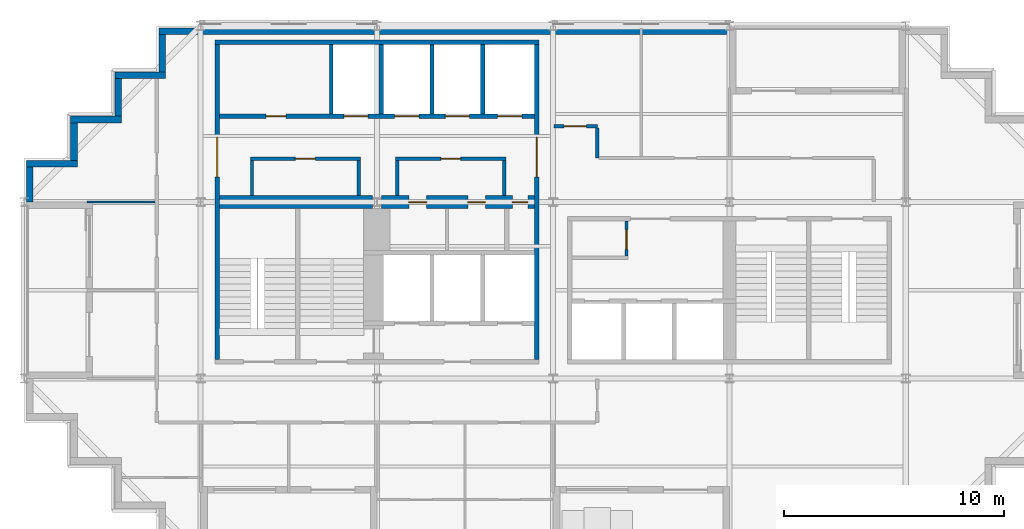
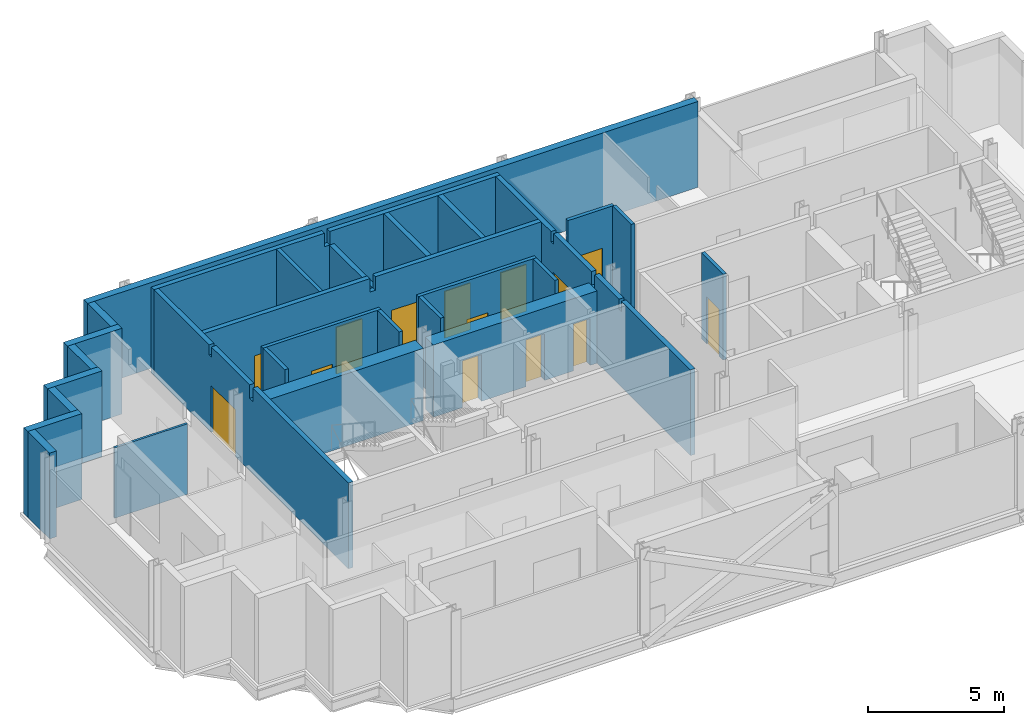
# One storey, part 4 of 8: 28 walls, 14 doors, 14 openings.
"""IFC4 building model written with IfcOpenShell, lengths in metres."""

from ifc_helpers import new_model, si_unit, direction, frame, frame_2d, origin, place, context, subcontext, project, spatial, polyline, rectangle, outline, extrude, material, layer, layer_set, type_object, element, fill, save


model = new_model("IFC4")

# Units and contexts
model_context = context("Model", 3, precision=1e-05, world=origin(), true_north=direction((0.0, 1.0)))
body_context = subcontext(model_context, "Body", "Model", "MODEL_VIEW")
ifc_project = project(units=[si_unit("LENGTHUNIT", "METRE"), si_unit("AREAUNIT", "SQUARE_METRE"), si_unit("VOLUMEUNIT", "CUBIC_METRE"), si_unit("PLANEANGLEUNIT", "RADIAN"), si_unit("MASSUNIT", "GRAM", prefix="KILO")], contexts=[model_context])

# Site, building, storey
site_placement = place(None, origin())
site = spatial("IfcSite", under=ifc_project, at=site_placement, CompositionType="ELEMENT")
building_placement = place(site_placement, origin())
building = spatial("IfcBuilding", under=site, at=building_placement, Name="Immortelle Media Tower", CompositionType="ELEMENT")
storey_placement = place(building_placement, frame((0.0, 0.0, 193.0)))
storey = spatial("IfcBuildingStorey", under=building, at=storey_placement, Name="L40", CompositionType="ELEMENT", Elevation=193.0)

# Wall, openings, doors
ifc_material_1 = material(Name="Fire-rated masonry blockwork", Category="masonry")
ifc_layer_1 = layer(ifc_material_1, 0.60009765625)
ifc_layer_set_1 = layer_set([ifc_layer_1], Name="Fire-rated masonry blockwork")
wall_type_1 = type_object("IfcWallType", Name="Core grid-line wall 600", PredefinedType="PARTITIONING", material=ifc_layer_set_1)
wall_1_placement = place(storey_placement, frame((16.20703125, 16.0, 0.0), z_axis=(0.0, 0.0, 1.0), x_axis=(1.0, 0.0, 0.0)))
wall_1 = element("IfcWall", 1, at=wall_1_placement, inside=storey, type_object=wall_type_1, Name="Core grid-line wall SW", PredefinedType="PARTITIONING", context=body_context, shape_type="SweptSolid", body=[
    extrude(rectangle(XDim=6.94287109375, YDim=0.60009765625, at=frame_2d((3.471435546875, 0.0))), origin(), (0.0, 0.0, 1.0), 3.241943359375),
])
opening_1_placement = place(wall_1_placement, frame((2.04296875, 0.0, 0.0), z_axis=(0.0, 0.0, 1.0), x_axis=(-1.0, 0.0, 0.0)))
opening_1 = element("IfcOpeningElement", 2, at=opening_1_placement, cuts=wall_1, Name="Opening O1-K010", PredefinedType="OPENING", context=body_context, shape_type="SweptSolid", body=[
    extrude(rectangle(XDim=0.800048828125, YDim=2.10009765625, at=frame_2d((0.39990234375, 1.050048828125))), frame((0.0, 0.31005859375, 0.0), z_axis=(0.0, -1.0, 0.0), x_axis=(1.0, 0.0, 0.0)), (0.0, 0.0, 1.0), 0.6201171875),
])
opening_2_placement = place(wall_1_placement, frame((4.718017578125, 0.0, 0.0), z_axis=(0.0, 0.0, 1.0), x_axis=(-1.0, 0.0, 0.0)))
opening_2 = element("IfcOpeningElement", 3, at=opening_2_placement, cuts=wall_1, Name="Opening O1-K015", PredefinedType="OPENING", context=body_context, shape_type="SweptSolid", body=[
    extrude(rectangle(XDim=0.800048828125, YDim=2.10009765625, at=frame_2d((0.39990234375, 1.050048828125))), frame((0.0, 0.31005859375, 0.0), z_axis=(0.0, -1.0, 0.0), x_axis=(1.0, 0.0, 0.0)), (0.0, 0.0, 1.0), 0.6201171875),
])
opening_3_placement = place(wall_1_placement, frame((6.64306640625, 0.0, 0.0), z_axis=(0.0, 0.0, 1.0), x_axis=(-1.0, 0.0, 0.0)))
opening_3 = element("IfcOpeningElement", 4, at=opening_3_placement, cuts=wall_1, Name="Opening O1-K018", PredefinedType="OPENING", context=body_context, shape_type="SweptSolid", body=[
    extrude(rectangle(XDim=0.699951171875, YDim=2.10009765625, at=frame_2d((0.35009765625, 1.050048828125))), frame((0.0, 0.31005859375, 0.0), z_axis=(0.0, -1.0, 0.0), x_axis=(1.0, 0.0, 0.0)), (0.0, 0.0, 1.0), 0.6201171875),
])
ifc_material_2 = material(Name="Galvanised steel door leaf and frame ASTM A653", Category="steel")
door_type_1 = type_object("IfcDoorType", Name="Service door 700 x 2100", OperationType="NOTDEFINED", PredefinedType="NOTDEFINED", material=ifc_material_2)
door_1_placement = place(opening_3_placement, origin())
door_1 = element("IfcDoor", 5, at=door_1_placement, inside=storey, type_object=door_type_1, Name="Service O1-K018", OperationType="SINGLE_SWING_LEFT", OverallHeight=2.10009765625, OverallWidth=0.699951171875, PredefinedType="NOTDEFINED", context=body_context, shape_type="SweptSolid", body=[
    extrude(rectangle(XDim=0.699951171875, YDim=2.10009765625, at=frame_2d((0.35009765625, 1.050048828125))), frame((0.0, 0.02490234375, 0.0), z_axis=(0.0, -1.0, 0.0), x_axis=(1.0, 0.0, 0.0)), (0.0, 0.0, 1.0), 0.050048828125),
])
fill(opening_3, door_1)
ifc_material_3 = material(Name="Timber", Category="wood")
door_type_2 = type_object("IfcDoorType", Name="Toilet door 800 x 2100", OperationType="NOTDEFINED", PredefinedType="NOTDEFINED", material=ifc_material_3)
door_2_placement = place(opening_1_placement, origin())
door_2 = element("IfcDoor", 6, at=door_2_placement, inside=storey, type_object=door_type_2, Name="Toilet O1-K010", OperationType="SINGLE_SWING_LEFT", OverallHeight=2.10009765625, OverallWidth=0.800048828125, PredefinedType="NOTDEFINED", context=body_context, shape_type="SweptSolid", body=[
    extrude(rectangle(XDim=0.800048828125, YDim=2.10009765625, at=frame_2d((0.39990234375, 1.050048828125))), frame((0.0, 0.02490234375, 0.0), z_axis=(0.0, -1.0, 0.0), x_axis=(1.0, 0.0, 0.0)), (0.0, 0.0, 1.0), 0.050048828125),
])
fill(opening_1, door_2)
door_3_placement = place(opening_2_placement, origin())
door_3 = element("IfcDoor", 7, at=door_3_placement, inside=storey, type_object=door_type_2, Name="Toilet O1-K015", OperationType="SINGLE_SWING_RIGHT", OverallHeight=2.10009765625, OverallWidth=0.800048828125, PredefinedType="NOTDEFINED", context=body_context, shape_type="SweptSolid", body=[
    extrude(rectangle(XDim=0.800048828125, YDim=2.10009765625, at=frame_2d((0.39990234375, 1.050048828125))), frame((0.0, 0.02490234375, 0.0), z_axis=(0.0, -1.0, 0.0), x_axis=(1.0, 0.0, 0.0)), (0.0, 0.0, 1.0), 0.050048828125),
])
fill(opening_2, door_3)

# Wall
ifc_material_4 = material(Name="Fire-rated gypsum board", Category="gypsum")
ifc_layer_2 = layer(ifc_material_4, 0.02490234375)
ifc_material_5 = material(Name="Steel ASTM A653 SS Gr 50 stud frame with mineral wool", Category="steel")
ifc_layer_3 = layer(ifc_material_5, 0.10009765625)
ifc_layer_4 = layer(ifc_material_4, 0.02490234375)
ifc_layer_set_2 = layer_set([ifc_layer_2, ifc_layer_3, ifc_layer_4], Name="Steel ASTM A653 SS Gr 50 stud frame with mineral wool")
wall_type_2 = type_object("IfcWallType", Name="Core partition 150", PredefinedType="PARTITIONING", material=ifc_layer_set_2)
wall_2_placement = place(storey_placement, frame((10.324951171875, 16.300048828125, 0.0), z_axis=(0.0, 0.0, 1.0), x_axis=(0.0, 1.0, 0.0)))
element("IfcWall", 8, at=wall_2_placement, inside=storey, type_object=wall_type_2, Name="Core partition SW", PredefinedType="PARTITIONING", context=body_context, shape_type="SweptSolid", body=[
    extrude(rectangle(XDim=1.599853515625, YDim=0.14990234375, at=frame_2d((0.7998046875, 0.0))), origin(), (0.0, 0.0, 1.0), 3.85009765625),
])

# Wall, opening, door
wall_3_placement = place(storey_placement, frame((10.25, 17.97509765625, 0.0), z_axis=(0.0, 0.0, 1.0), x_axis=(1.0, 0.0, 0.0)))
wall_3 = element("IfcWall", 9, at=wall_3_placement, inside=storey, type_object=wall_type_2, Name="Core partition SW", PredefinedType="PARTITIONING", context=body_context, shape_type="SweptSolid", body=[
    extrude(rectangle(XDim=5.0, YDim=0.14990234375, at=frame_2d((2.5, 0.0))), origin(), (0.0, 0.0, 1.0), 3.85009765625),
])
opening_4_placement = place(wall_3_placement, frame((2.949951171875, 0.0, 0.0), z_axis=(0.0, 0.0, 1.0), x_axis=(-1.0, 0.0, 0.0)))
opening_4 = element("IfcOpeningElement", 10, at=opening_4_placement, cuts=wall_3, Name="Opening O1-K004", PredefinedType="OPENING", context=body_context, shape_type="SweptSolid", body=[
    extrude(rectangle(XDim=0.89990234375, YDim=2.10009765625, at=frame_2d((0.449951171875, 1.050048828125))), frame((0.0, 0.0849609375, 0.0), z_axis=(0.0, -1.0, 0.0), x_axis=(1.0, 0.0, 0.0)), (0.0, 0.0, 1.0), 0.169921875),
])
door_type_3 = type_object("IfcDoorType", Name="Room door 900 x 2100", OperationType="NOTDEFINED", PredefinedType="NOTDEFINED", material=ifc_material_3)
door_4_placement = place(opening_4_placement, origin())
door_4 = element("IfcDoor", 11, at=door_4_placement, inside=storey, type_object=door_type_3, Name="Room O1-K004", OperationType="SINGLE_SWING_RIGHT", OverallHeight=2.10009765625, OverallWidth=0.89990234375, PredefinedType="NOTDEFINED", context=body_context, shape_type="SweptSolid", body=[
    extrude(rectangle(XDim=0.89990234375, YDim=2.10009765625, at=frame_2d((0.449951171875, 1.050048828125))), frame((0.0, 0.02490234375, 0.0), z_axis=(0.0, -1.0, 0.0), x_axis=(1.0, 0.0, 0.0)), (0.0, 0.0, 1.0), 0.050048828125),
])
fill(opening_4, door_4)

# Walls
wall_4_placement = place(storey_placement, frame((13.925048828125, 20.0, 0.0), z_axis=(0.0, 0.0, 1.0), x_axis=(0.0, 1.0, 0.0)))
element("IfcWall", 12, at=wall_4_placement, inside=storey, type_object=wall_type_2, Name="Core partition SW", PredefinedType="PARTITIONING", context=body_context, shape_type="SweptSolid", body=[
    extrude(rectangle(XDim=3.14990234375, YDim=0.14990234375, at=frame_2d((1.574951171875, 0.0))), origin(), (0.0, 0.0, 1.0), 3.85009765625),
])
for number, where, z_axis, x_axis, name in (
    (13, (15.175048828125, 16.300048828125, 0.0), (0.0, 0.0, 1.0), (0.0, 1.0, 0.0), "Core partition SW"),
    (14, (16.925048828125, 16.300048828125, 0.0), (0.0, 0.0, 1.0), (0.0, 1.0, 0.0), "Core partition SW"),
):
    element("IfcWall", number, at=place(storey_placement, frame(where, z_axis=z_axis, x_axis=x_axis)), inside=storey, type_object=wall_type_2, Name=name, PredefinedType="PARTITIONING", context=body_context, shape_type="SweptSolid", body=[
        extrude(rectangle(XDim=1.599853515625, YDim=0.14990234375, at=frame_2d((0.7998046875, 0.0))), origin(), (0.0, 0.0, 1.0), 3.85009765625),
    ])

# Wall, opening, door
wall_5_placement = place(storey_placement, frame((16.85009765625, 17.97509765625, 0.0), z_axis=(0.0, 0.0, 1.0), x_axis=(1.0, 0.0, 0.0)))
wall_5 = element("IfcWall", 15, at=wall_5_placement, inside=storey, type_object=wall_type_2, Name="Core partition SW", PredefinedType="PARTITIONING", context=body_context, shape_type="SweptSolid", body=[
    extrude(rectangle(XDim=5.0, YDim=0.14990234375, at=frame_2d((2.5, 0.0))), origin(), (0.0, 0.0, 1.0), 3.85009765625),
])
opening_5_placement = place(wall_5_placement, frame((2.949951171875, 0.0, 0.0), z_axis=(0.0, 0.0, 1.0), x_axis=(-1.0, 0.0, 0.0)))
opening_5 = element("IfcOpeningElement", 16, at=opening_5_placement, cuts=wall_5, Name="Opening O1-K011", PredefinedType="OPENING", context=body_context, shape_type="SweptSolid", body=[
    extrude(rectangle(XDim=0.89990234375, YDim=2.10009765625, at=frame_2d((0.449951171875, 1.050048828125))), frame((0.0, 0.0849609375, 0.0), z_axis=(0.0, -1.0, 0.0), x_axis=(1.0, 0.0, 0.0)), (0.0, 0.0, 1.0), 0.169921875),
])
door_5_placement = place(opening_5_placement, origin())
door_5 = element("IfcDoor", 17, at=door_5_placement, inside=storey, type_object=door_type_3, Name="Room O1-K011", OperationType="SINGLE_SWING_RIGHT", OverallHeight=2.10009765625, OverallWidth=0.89990234375, PredefinedType="NOTDEFINED", context=body_context, shape_type="SweptSolid", body=[
    extrude(rectangle(XDim=0.89990234375, YDim=2.10009765625, at=frame_2d((0.449951171875, 1.050048828125))), frame((0.0, 0.02490234375, 0.0), z_axis=(0.0, -1.0, 0.0), x_axis=(1.0, 0.0, 0.0)), (0.0, 0.0, 1.0), 0.050048828125),
])
fill(opening_5, door_5)

# Wall
wall_6_placement = place(storey_placement, frame((21.77490234375, 16.300048828125, 0.0), z_axis=(0.0, 0.0, 1.0), x_axis=(0.0, 1.0, 0.0)))
element("IfcWall", 18, at=wall_6_placement, inside=storey, type_object=wall_type_2, Name="Core partition SW", PredefinedType="PARTITIONING", context=body_context, shape_type="SweptSolid", body=[
    extrude(rectangle(XDim=1.599853515625, YDim=0.14990234375, at=frame_2d((0.7998046875, 0.0))), origin(), (0.0, 0.0, 1.0), 3.85009765625),
])

# Wall, opening, door
wall_7_placement = place(storey_placement, frame((27.324951171875, 13.550048828125, 0.0), z_axis=(0.0, 0.0, 1.0), x_axis=(0.0, 1.0, 0.0)))
wall_7 = element("IfcWall", 19, at=wall_7_placement, inside=storey, type_object=wall_type_2, Name="Core partition SE", PredefinedType="PARTITIONING", context=body_context, shape_type="SweptSolid", body=[
    extrude(rectangle(XDim=1.599853515625, YDim=0.14990234375, at=frame_2d((0.7998046875, 0.0))), origin(), (0.0, 0.0, 1.0), 3.85009765625),
])
opening_6_placement = place(wall_7_placement, frame((0.300048828125, 0.0, 0.0)))
opening_6 = element("IfcOpeningElement", 20, at=opening_6_placement, cuts=wall_7, Name="Opening O1-K021", PredefinedType="OPENING", context=body_context, shape_type="SweptSolid", body=[
    extrude(rectangle(XDim=0.89990234375, YDim=2.10009765625, at=frame_2d((0.449951171875, 1.050048828125))), frame((0.0, 0.0849609375, 0.0), z_axis=(0.0, -1.0, 0.0), x_axis=(1.0, 0.0, 0.0)), (0.0, 0.0, 1.0), 0.169921875),
])
door_type_4 = type_object("IfcDoorType", Name="Service door 900 x 2100", OperationType="NOTDEFINED", PredefinedType="NOTDEFINED", material=ifc_material_2)
door_6_placement = place(opening_6_placement, origin())
door_6 = element("IfcDoor", 21, at=door_6_placement, inside=storey, type_object=door_type_4, Name="Service O1-K021", OperationType="SINGLE_SWING_RIGHT", OverallHeight=2.10009765625, OverallWidth=0.89990234375, PredefinedType="NOTDEFINED", context=body_context, shape_type="SweptSolid", body=[
    extrude(rectangle(XDim=0.89990234375, YDim=2.10009765625, at=frame_2d((0.449951171875, 1.050048828125))), frame((0.0, 0.02490234375, 0.0), z_axis=(0.0, -1.0, 0.0), x_axis=(1.0, 0.0, 0.0)), (0.0, 0.0, 1.0), 0.050048828125),
])
fill(opening_6, door_6)

# Wall
ifc_layer_5 = layer(ifc_material_4, 0.03759765625)
ifc_layer_6 = layer(ifc_material_5, 0.125)
ifc_layer_7 = layer(ifc_material_4, 0.03759765625)
ifc_layer_set_3 = layer_set([ifc_layer_5, ifc_layer_6, ifc_layer_7], Name="Steel ASTM A653 SS Gr 50 stud frame with mineral wool")
wall_type_3 = type_object("IfcWallType", Name="Core shaft wall 200", PredefinedType="PARTITIONING", material=ifc_layer_set_3)
wall_8_placement = place(storey_placement, frame((8.64990234375, 23.25, 0.0), z_axis=(0.0, 0.0, 1.0), x_axis=(1.0, 0.0, 0.0)))
element("IfcWall", 22, at=wall_8_placement, inside=storey, type_object=wall_type_3, Name="Core shaft wall SW", PredefinedType="PARTITIONING", context=body_context, shape_type="SweptSolid", body=[
    extrude(outline(polyline([(0.0, 0.0), (14.7001953125, 0.0), (14.699951171875, 3.85009765625), (7.468994140625, 3.85009765625), (7.468017578125, 3.241943359375), (7.23193359375, 3.241943359375), (7.23095703125, 3.85009765625), (0.0, 3.85009765625), (0.0, 0.0)])), frame((0.0, 0.10009765625, 0.0), z_axis=(0.0, -1.0, 0.0), x_axis=(1.0, 0.0, 0.0)), (0.0, 0.0, 1.0), 0.199951171875),
])

# Wall, openings, doors
wall_9_placement = place(storey_placement, frame((8.85009765625, 19.89990234375, 0.0), z_axis=(0.0, 0.0, 1.0), x_axis=(1.0, 0.0, 0.0)))
wall_9 = element("IfcWall", 23, at=wall_9_placement, inside=storey, type_object=wall_type_3, Name="Core shaft wall SW", PredefinedType="PARTITIONING", context=body_context, shape_type="SweptSolid", body=[
    extrude(outline(polyline([(0.0, 0.0), (14.2998046875, 0.0), (14.300048828125, 3.85009765625), (7.26904296875, 3.85009765625), (7.26806640625, 3.241943359375), (7.031982421875, 3.241943359375), (7.031005859375, 3.85009765625), (0.0, 3.85009765625), (0.0, 0.0)])), frame((0.0, 0.10009765625, 0.0), z_axis=(0.0, -1.0, 0.0), x_axis=(1.0, 0.0, 0.0)), (0.0, 0.0, 1.0), 0.199951171875),
])
opening_7_placement = place(wall_9_placement, frame((2.125, 0.0, 0.0)))
opening_7 = element("IfcOpeningElement", 24, at=opening_7_placement, cuts=wall_9, Name="Opening O1-K003", PredefinedType="OPENING", context=body_context, shape_type="SweptSolid", body=[
    extrude(rectangle(XDim=0.89990234375, YDim=2.10009765625, at=frame_2d((0.449951171875, 1.050048828125))), frame((0.0, 0.10986328125, 0.0), z_axis=(0.0, -1.0, 0.0), x_axis=(1.0, 0.0, 0.0)), (0.0, 0.0, 1.0), 0.219970703125),
])
opening_8_placement = place(wall_9_placement, frame((5.64990234375, 0.0, 0.0)))
opening_8 = element("IfcOpeningElement", 25, at=opening_8_placement, cuts=wall_9, Name="Opening LD", PredefinedType="OPENING", context=body_context, shape_type="SweptSolid", body=[
    extrude(rectangle(XDim=1.10009765625, YDim=2.10009765625, at=frame_2d((0.550048828125, 1.050048828125))), frame((0.0, 0.10986328125, 0.0), z_axis=(0.0, -1.0, 0.0), x_axis=(1.0, 0.0, 0.0)), (0.0, 0.0, 1.0), 0.219970703125),
])
opening_9_placement = place(wall_9_placement, frame((7.949951171875, 0.0, 0.0)))
opening_9 = element("IfcOpeningElement", 26, at=opening_9_placement, cuts=wall_9, Name="Opening LD", PredefinedType="OPENING", context=body_context, shape_type="SweptSolid", body=[
    extrude(rectangle(XDim=1.10009765625, YDim=2.10009765625, at=frame_2d((0.550048828125, 1.050048828125))), frame((0.0, 0.10986328125, 0.0), z_axis=(0.0, -1.0, 0.0), x_axis=(1.0, 0.0, 0.0)), (0.0, 0.0, 1.0), 0.219970703125),
])
opening_10_placement = place(wall_9_placement, frame((10.25, 0.0, 0.0)))
opening_10 = element("IfcOpeningElement", 27, at=opening_10_placement, cuts=wall_9, Name="Opening LD", PredefinedType="OPENING", context=body_context, shape_type="SweptSolid", body=[
    extrude(rectangle(XDim=1.10009765625, YDim=2.10009765625, at=frame_2d((0.550048828125, 1.050048828125))), frame((0.0, 0.10986328125, 0.0), z_axis=(0.0, -1.0, 0.0), x_axis=(1.0, 0.0, 0.0)), (0.0, 0.0, 1.0), 0.219970703125),
])
opening_11_placement = place(wall_9_placement, frame((12.625, 0.0, 0.0)))
opening_11 = element("IfcOpeningElement", 28, at=opening_11_placement, cuts=wall_9, Name="Opening LD", PredefinedType="OPENING", context=body_context, shape_type="SweptSolid", body=[
    extrude(rectangle(XDim=1.10009765625, YDim=2.10009765625, at=frame_2d((0.550048828125, 1.050048828125))), frame((0.0, 0.10986328125, 0.0), z_axis=(0.0, -1.0, 0.0), x_axis=(1.0, 0.0, 0.0)), (0.0, 0.0, 1.0), 0.219970703125),
])
ifc_material_6 = material(Name="Stainless steel AISI 304", Category="steel")
door_type_5 = type_object("IfcDoorType", Name="Landing door 1100 x 2100", OperationType="SLIDING_TO_LEFT", PredefinedType="NOTDEFINED", material=ifc_material_6)
door_7_placement = place(opening_8_placement, origin())
door_7 = element("IfcDoor", 29, at=door_7_placement, inside=storey, type_object=door_type_5, Name="Landing door HR1 L40", OperationType="SLIDING_TO_LEFT", OverallHeight=2.10009765625, OverallWidth=1.10009765625, PredefinedType="NOTDEFINED", context=body_context, shape_type="SweptSolid", body=[
    extrude(rectangle(XDim=1.10009765625, YDim=2.10009765625, at=frame_2d((0.550048828125, 1.050048828125))), frame((0.0, 0.02490234375, 0.0), z_axis=(0.0, -1.0, 0.0), x_axis=(1.0, 0.0, 0.0)), (0.0, 0.0, 1.0), 0.050048828125),
])
fill(opening_8, door_7)
door_8_placement = place(opening_9_placement, origin())
door_8 = element("IfcDoor", 30, at=door_8_placement, inside=storey, type_object=door_type_5, Name="Landing door HR2 L40", OperationType="SLIDING_TO_LEFT", OverallHeight=2.10009765625, OverallWidth=1.10009765625, PredefinedType="NOTDEFINED", context=body_context, shape_type="SweptSolid", body=[
    extrude(rectangle(XDim=1.10009765625, YDim=2.10009765625, at=frame_2d((0.550048828125, 1.050048828125))), frame((0.0, 0.02490234375, 0.0), z_axis=(0.0, -1.0, 0.0), x_axis=(1.0, 0.0, 0.0)), (0.0, 0.0, 1.0), 0.050048828125),
])
fill(opening_9, door_8)
door_9_placement = place(opening_10_placement, origin())
door_9 = element("IfcDoor", 31, at=door_9_placement, inside=storey, type_object=door_type_5, Name="Landing door HR3 L40", OperationType="SLIDING_TO_LEFT", OverallHeight=2.10009765625, OverallWidth=1.10009765625, PredefinedType="NOTDEFINED", context=body_context, shape_type="SweptSolid", body=[
    extrude(rectangle(XDim=1.10009765625, YDim=2.10009765625, at=frame_2d((0.550048828125, 1.050048828125))), frame((0.0, 0.02490234375, 0.0), z_axis=(0.0, -1.0, 0.0), x_axis=(1.0, 0.0, 0.0)), (0.0, 0.0, 1.0), 0.050048828125),
])
fill(opening_10, door_9)
door_10_placement = place(opening_11_placement, origin())
door_10 = element("IfcDoor", 32, at=door_10_placement, inside=storey, type_object=door_type_5, Name="Landing door HR4 L40", OperationType="SLIDING_TO_LEFT", OverallHeight=2.10009765625, OverallWidth=1.10009765625, PredefinedType="NOTDEFINED", context=body_context, shape_type="SweptSolid", body=[
    extrude(rectangle(XDim=1.10009765625, YDim=2.10009765625, at=frame_2d((0.550048828125, 1.050048828125))), frame((0.0, 0.02490234375, 0.0), z_axis=(0.0, -1.0, 0.0), x_axis=(1.0, 0.0, 0.0)), (0.0, 0.0, 1.0), 0.050048828125),
])
fill(opening_11, door_10)
door_11_placement = place(opening_7_placement, origin())
door_11 = element("IfcDoor", 33, at=door_11_placement, inside=storey, type_object=door_type_3, Name="Room O1-K003", OperationType="SINGLE_SWING_RIGHT", OverallHeight=2.10009765625, OverallWidth=0.89990234375, PredefinedType="NOTDEFINED", context=body_context, shape_type="SweptSolid", body=[
    extrude(rectangle(XDim=0.89990234375, YDim=2.10009765625, at=frame_2d((0.449951171875, 1.050048828125))), frame((0.0, 0.02490234375, 0.0), z_axis=(0.0, -1.0, 0.0), x_axis=(1.0, 0.0, 0.0)), (0.0, 0.0, 1.0), 0.050048828125),
])
fill(opening_7, door_11)

# Walls
wall_10_placement = place(storey_placement, frame((16.199951171875, 20.0, 0.0), z_axis=(0.0, 0.0, 1.0), x_axis=(0.0, 1.0, 0.0)))
element("IfcWall", 34, at=wall_10_placement, inside=storey, type_object=wall_type_3, Name="Core shaft wall SW", PredefinedType="PARTITIONING", context=body_context, shape_type="SweptSolid", body=[
    extrude(rectangle(XDim=3.14990234375, YDim=0.199951171875, at=frame_2d((1.574951171875, 0.0))), origin(), (0.0, 0.0, 1.0), 3.241943359375),
])
for number, where, z_axis, x_axis, name in (
    (35, (18.5, 20.0, 0.0), (0.0, 0.0, 1.0), (0.0, 1.0, 0.0), "Core shaft wall SW"),
    (36, (20.800048828125, 20.0, 0.0), (0.0, 0.0, 1.0), (0.0, 1.0, 0.0), "Core shaft wall SW"),
):
    element("IfcWall", number, at=place(storey_placement, frame(where, z_axis=z_axis, x_axis=x_axis)), inside=storey, type_object=wall_type_3, Name=name, PredefinedType="PARTITIONING", context=body_context, shape_type="SweptSolid", body=[
        extrude(rectangle(XDim=3.14990234375, YDim=0.199951171875, at=frame_2d((1.574951171875, 0.0))), origin(), (0.0, 0.0, 1.0), 3.85009765625),
    ])

# Wall, opening, door
wall_11_placement = place(storey_placement, frame((23.25, 8.85009765625, 0.0), z_axis=(0.0, 0.0, 1.0), x_axis=(0.0, 1.0, 0.0)))
wall_11 = element("IfcWall", 37, at=wall_11_placement, inside=storey, type_object=wall_type_3, Name="Core shaft wall SW", PredefinedType="PARTITIONING", context=body_context, shape_type="SweptSolid", body=[
    extrude(outline(polyline([(0.0, 0.0), (14.2998046875, 0.0), (14.300048828125, 3.85009765625), (10.2314453125, 3.85009765625), (10.23046875, 3.388916015625), (10.069580078125, 3.388916015625), (10.068603515625, 3.85009765625), (7.26904296875, 3.85009765625), (7.26806640625, 3.241943359375), (7.031982421875, 3.241943359375), (7.031005859375, 3.85009765625), (5.2314453125, 3.85009765625), (5.23046875, 3.388916015625), (5.069580078125, 3.388916015625), (5.068603515625, 3.85009765625), (0.0, 3.85009765625), (0.0, 0.0)])), frame((0.0, 0.10009765625, 0.0), z_axis=(0.0, -1.0, 0.0), x_axis=(1.0, 0.0, 0.0)), (0.0, 0.0, 1.0), 0.199951171875),
])
opening_12_placement = place(wall_11_placement, frame((8.300048828125, 0.0, 0.0)))
opening_12 = element("IfcOpeningElement", 38, at=opening_12_placement, cuts=wall_11, Name="Opening O1-K019", PredefinedType="OPENING", context=body_context, shape_type="SweptSolid", body=[
    extrude(rectangle(XDim=1.800048828125, YDim=2.10009765625, at=frame_2d((0.89990234375, 1.050048828125))), frame((0.0, 0.10986328125, 0.0), z_axis=(0.0, -1.0, 0.0), x_axis=(1.0, 0.0, 0.0)), (0.0, 0.0, 1.0), 0.219970703125),
])
door_type_6 = type_object("IfcDoorType", Name="Lift lobby door 1800 x 2100", OperationType="DOUBLE_DOOR_SINGLE_SWING", PredefinedType="NOTDEFINED", material=ifc_material_2)
door_12_placement = place(opening_12_placement, origin())
door_12 = element("IfcDoor", 39, at=door_12_placement, inside=storey, type_object=door_type_6, Name="Lift lobby O1-K019", OperationType="DOUBLE_DOOR_SINGLE_SWING", OverallHeight=2.10009765625, OverallWidth=1.800048828125, PredefinedType="NOTDEFINED", context=body_context, shape_type="SweptSolid", body=[
    extrude(rectangle(XDim=1.800048828125, YDim=2.10009765625, at=frame_2d((0.89990234375, 1.050048828125))), frame((0.0, 0.02490234375, 0.0), z_axis=(0.0, -1.0, 0.0), x_axis=(1.0, 0.0, 0.0)), (0.0, 0.0, 1.0), 0.050048828125),
])
fill(opening_12, door_12)

# Wall
ifc_layer_8 = layer(ifc_material_4, 0.012451171875)
ifc_layer_9 = layer(ifc_material_5, 0.125)
ifc_layer_10 = layer(ifc_material_4, 0.012451171875)
ifc_layer_set_4 = layer_set([ifc_layer_8, ifc_layer_9, ifc_layer_10], Name="Steel ASTM A653 SS Gr 50 stud frame with mineral wool")
wall_type_4 = type_object("IfcWallType", Name="Corridor wall 150", PredefinedType="PARTITIONING", material=ifc_layer_set_4)
wall_12_placement = place(storey_placement, frame((26.0, 18.0, 0.0), z_axis=(0.0, 0.0, 1.0), x_axis=(0.0, 1.0, 0.0)))
element("IfcWall", 40, at=wall_12_placement, inside=storey, type_object=wall_type_4, Name="Partition L40-020", PredefinedType="PARTITIONING", context=body_context, shape_type="SweptSolid", body=[
    extrude(rectangle(XDim=1.375, YDim=0.14990234375, at=frame_2d((0.6875, 0.0))), origin(), (0.0, 0.0, 1.0), 3.85009765625),
])

# Wall, opening, door
wall_13_placement = place(storey_placement, frame((24.030029296875, 19.449951171875, 0.0), z_axis=(0.0, 0.0, 1.0), x_axis=(1.0, 0.0, 0.0)))
wall_13 = element("IfcWall", 41, at=wall_13_placement, inside=storey, type_object=wall_type_4, Name="Partition L40-023", PredefinedType="PARTITIONING", context=body_context, shape_type="SweptSolid", body=[
    extrude(rectangle(XDim=1.969970703125, YDim=0.14990234375, at=frame_2d((0.98486328125, 0.0))), origin(), (0.0, 0.0, 1.0), 3.85009765625),
])
opening_13_placement = place(wall_13_placement, frame((0.469970703125, 0.0, 0.0)))
opening_13 = element("IfcOpeningElement", 42, at=opening_13_placement, cuts=wall_13, Name="Opening O1-F014", PredefinedType="OPENING", context=body_context, shape_type="SweptSolid", body=[
    extrude(rectangle(XDim=1.0, YDim=2.10009765625, at=frame_2d((0.5, 1.050048828125))), frame((0.0, 0.0849609375, 0.0), z_axis=(0.0, -1.0, 0.0), x_axis=(1.0, 0.0, 0.0)), (0.0, 0.0, 1.0), 0.169921875),
])
ifc_material_7 = material(Name="Timber veneered door leaf, galvanised steel frame ASTM A653", Category="steel")
door_type_7 = type_object("IfcDoorType", Name="Room door 1000 x 2100", OperationType="NOTDEFINED", PredefinedType="DOOR", material=ifc_material_7)
door_13_placement = place(opening_13_placement, origin())
door_13 = element("IfcDoor", 43, at=door_13_placement, inside=storey, type_object=door_type_7, Name="Door O1-F014", OperationType="SINGLE_SWING_LEFT", OverallHeight=2.10009765625, OverallWidth=1.0, PredefinedType="DOOR", context=body_context, shape_type="SweptSolid", body=[
    extrude(rectangle(XDim=1.0, YDim=2.10009765625, at=frame_2d((0.5, 1.050048828125))), frame((0.0, 0.02490234375, 0.0), z_axis=(0.0, -1.0, 0.0), x_axis=(1.0, 0.0, 0.0)), (0.0, 0.0, 1.0), 0.050048828125),
])
fill(opening_13, door_13)

# Walls
ifc_material_8 = material(Name="Pale aluminium cladding panel", Category="aluminium")
ifc_layer_11 = layer(ifc_material_8, 0.030029296875)
ifc_layer_12 = layer(ifc_material_5, 0.257568359375)
ifc_material_9 = material(Name="Moisture-resistant gypsum board", Category="gypsum")
ifc_layer_13 = layer(ifc_material_9, 0.012451171875)
ifc_layer_set_5 = layer_set([ifc_layer_11, ifc_layer_12, ifc_layer_13], Name="Steel ASTM A653 SS Gr 50 stud frame with mineral wool")
wall_type_5 = type_object("IfcWallType", Name="Facade wall 300", PredefinedType="SOLIDWALL", material=ifc_layer_set_5)
wall_14_placement = place(storey_placement, frame((32.0, 23.75, 0.0), z_axis=(0.0, 0.0, 1.0), x_axis=(-1.0, 0.0, 0.0)))
element("IfcWall", 44, at=wall_14_placement, inside=storey, type_object=wall_type_5, Name="Facade wall L40 N20", PredefinedType="SOLIDWALL", context=body_context, shape_type="SweptSolid", body=[
    extrude(rectangle(XDim=25.89990234375, YDim=0.300048828125, at=frame_2d((12.949951171875, 0.0))), origin(), (0.0, 0.0, 1.0), 3.85009765625),
])
wall_15_placement = place(storey_placement, frame((6.25, 23.60009765625, 0.0), z_axis=(0.0, 0.0, 1.0), x_axis=(0.0, -1.0, 0.0)))
element("IfcWall", 45, at=wall_15_placement, inside=storey, type_object=wall_type_5, Name="Facade wall L40 W21", PredefinedType="SOLIDWALL", context=body_context, shape_type="SweptSolid", body=[
    extrude(rectangle(XDim=1.7001953125, YDim=0.300048828125, at=frame_2d((0.85009765625, 0.0))), origin(), (0.0, 0.0, 1.0), 3.85009765625),
])
wall_16_placement = place(storey_placement, frame((6.39990234375, 21.75, 0.0), z_axis=(0.0, 0.0, 1.0), x_axis=(-1.0, 0.0, 0.0)))
element("IfcWall", 46, at=wall_16_placement, inside=storey, type_object=wall_type_5, Name="Facade wall L40 N22", PredefinedType="SOLIDWALL", context=body_context, shape_type="SweptSolid", body=[
    extrude(rectangle(XDim=2.2998046875, YDim=0.300048828125, at=frame_2d((1.14990234375, 0.0))), origin(), (0.0, 0.0, 1.0), 3.85009765625),
])
wall_17_placement = place(storey_placement, frame((4.25, 21.60009765625, 0.0), z_axis=(0.0, 0.0, 1.0), x_axis=(0.0, -1.0, 0.0)))
element("IfcWall", 47, at=wall_17_placement, inside=storey, type_object=wall_type_5, Name="Facade wall L40 W23", PredefinedType="SOLIDWALL", context=body_context, shape_type="SweptSolid", body=[
    extrude(rectangle(XDim=1.7001953125, YDim=0.300048828125, at=frame_2d((0.85009765625, 0.0))), origin(), (0.0, 0.0, 1.0), 3.85009765625),
])
wall_18_placement = place(storey_placement, frame((4.39990234375, 19.75, 0.0), z_axis=(0.0, 0.0, 1.0), x_axis=(-1.0, 0.0, 0.0)))
element("IfcWall", 48, at=wall_18_placement, inside=storey, type_object=wall_type_5, Name="Facade wall L40 N24", PredefinedType="SOLIDWALL", context=body_context, shape_type="SweptSolid", body=[
    extrude(rectangle(XDim=2.2998046875, YDim=0.300048828125, at=frame_2d((1.14990234375, 0.0))), origin(), (0.0, 0.0, 1.0), 3.85009765625),
])
wall_19_placement = place(storey_placement, frame((2.25, 19.60009765625, 0.0), z_axis=(0.0, 0.0, 1.0), x_axis=(0.0, -1.0, 0.0)))
element("IfcWall", 49, at=wall_19_placement, inside=storey, type_object=wall_type_5, Name="Facade wall L40 W25", PredefinedType="SOLIDWALL", context=body_context, shape_type="SweptSolid", body=[
    extrude(rectangle(XDim=1.7001953125, YDim=0.300048828125, at=frame_2d((0.85009765625, 0.0))), origin(), (0.0, 0.0, 1.0), 3.85009765625),
])
wall_20_placement = place(storey_placement, frame((2.39990234375, 17.75, 0.0), z_axis=(0.0, 0.0, 1.0), x_axis=(-1.0, 0.0, 0.0)))
element("IfcWall", 50, at=wall_20_placement, inside=storey, type_object=wall_type_5, Name="Facade wall L40 N26", PredefinedType="SOLIDWALL", context=body_context, shape_type="SweptSolid", body=[
    extrude(rectangle(XDim=2.2998046875, YDim=0.300048828125, at=frame_2d((1.14990234375, 0.0))), origin(), (0.0, 0.0, 1.0), 3.85009765625),
])
wall_21_placement = place(storey_placement, frame((0.25, 17.60009765625, 0.0), z_axis=(0.0, 0.0, 1.0), x_axis=(0.0, -1.0, 0.0)))
element("IfcWall", 51, at=wall_21_placement, inside=storey, type_object=wall_type_5, Name="Facade wall L40 W27", PredefinedType="SOLIDWALL", context=body_context, shape_type="SweptSolid", body=[
    extrude(rectangle(XDim=1.60009765625, YDim=0.300048828125, at=frame_2d((0.800048828125, 0.0))), origin(), (0.0, 0.0, 1.0), 3.85009765625),
])
ifc_material_10 = material(Name="Gypsum board", Category="gypsum")
ifc_layer_14 = layer(ifc_material_10, 0.012451171875)
ifc_layer_15 = layer(ifc_material_5, 0.074951171875)
ifc_layer_16 = layer(ifc_material_10, 0.012451171875)
ifc_layer_set_6 = layer_set([ifc_layer_14, ifc_layer_15, ifc_layer_16], Name="Steel ASTM A653 SS Gr 50 stud frame with mineral wool")
wall_type_6 = type_object("IfcWallType", Name="Partition 100", PredefinedType="PARTITIONING", material=ifc_layer_set_6)
wall_22_placement = place(storey_placement, frame((2.830078125, 16.0, 0.0), z_axis=(0.0, 0.0, 1.0), x_axis=(1.0, 0.0, 0.0)))
element("IfcWall", 52, at=wall_22_placement, inside=storey, type_object=wall_type_6, Name="Partition L40-016", PredefinedType="PARTITIONING", context=body_context, shape_type="SweptSolid", body=[
    extrude(rectangle(XDim=3.094970703125, YDim=0.10009765625, at=frame_2d((1.54736328125, 0.0))), origin(), (0.0, 0.0, 1.0), 3.156982421875),
])

# Wall, opening, door
ifc_material_11 = material(Name="Concrete C60", Category="concrete")
ifc_layer_17 = layer(ifc_material_11, 0.199951171875)
ifc_layer_set_7 = layer_set([ifc_layer_17], Name="Concrete C60")
wall_type_7 = type_object("IfcWallType", Name="Stair shaft wall 200", PredefinedType="PARTITIONING", material=ifc_layer_set_7)
wall_23_placement = place(storey_placement, frame((8.75, 8.85009765625, 0.0), z_axis=(0.0, 0.0, 1.0), x_axis=(0.0, 1.0, 0.0)))
wall_23 = element("IfcWall", 53, at=wall_23_placement, inside=storey, type_object=wall_type_7, Name="Stair shaft wall SW", PredefinedType="PARTITIONING", context=body_context, shape_type="SweptSolid", body=[
    extrude(outline(polyline([(0.0, 0.0), (14.2998046875, 0.0), (14.300048828125, 3.85009765625), (10.2314453125, 3.85009765625), (10.23046875, 3.388916015625), (10.069580078125, 3.388916015625), (10.068603515625, 3.85009765625), (7.26904296875, 3.85009765625), (7.26806640625, 3.241943359375), (7.031982421875, 3.241943359375), (7.031005859375, 3.85009765625), (0.0, 3.85009765625), (0.0, 0.0)])), frame((0.0, 0.10009765625, 0.0), z_axis=(0.0, -1.0, 0.0), x_axis=(1.0, 0.0, 0.0)), (0.0, 0.0, 1.0), 0.199951171875),
])
opening_14_placement = place(wall_23_placement, frame((8.300048828125, 0.0, 0.0)))
opening_14 = element("IfcOpeningElement", 54, at=opening_14_placement, cuts=wall_23, Name="Opening O1-K001", PredefinedType="OPENING", context=body_context, shape_type="SweptSolid", body=[
    extrude(rectangle(XDim=1.800048828125, YDim=2.10009765625, at=frame_2d((0.89990234375, 1.050048828125))), frame((0.0, 0.10986328125, 0.0), z_axis=(0.0, -1.0, 0.0), x_axis=(1.0, 0.0, 0.0)), (0.0, 0.0, 1.0), 0.219970703125),
])
door_14_placement = place(opening_14_placement, origin())
door_14 = element("IfcDoor", 55, at=door_14_placement, inside=storey, type_object=door_type_6, Name="Lift lobby O1-K001", OperationType="DOUBLE_DOOR_SINGLE_SWING", OverallHeight=2.10009765625, OverallWidth=1.800048828125, PredefinedType="NOTDEFINED", context=body_context, shape_type="SweptSolid", body=[
    extrude(rectangle(XDim=1.800048828125, YDim=2.10009765625, at=frame_2d((0.89990234375, 1.050048828125))), frame((0.0, 0.02490234375, 0.0), z_axis=(0.0, -1.0, 0.0), x_axis=(1.0, 0.0, 0.0)), (0.0, 0.0, 1.0), 0.050048828125),
])
fill(opening_14, door_14)

# Wall
ifc_layer_18 = layer(ifc_material_11, 0.60009765625)
ifc_layer_set_8 = layer_set([ifc_layer_18], Name="Concrete C60")
wall_type_8 = type_object("IfcWallType", Name="Stair shaft wall 600", PredefinedType="PARTITIONING", material=ifc_layer_set_8)
wall_24_placement = place(storey_placement, frame((8.85009765625, 16.0, 0.0), z_axis=(0.0, 0.0, 1.0), x_axis=(1.0, 0.0, 0.0)))
element("IfcWall", 56, at=wall_24_placement, inside=storey, type_object=wall_type_8, Name="Stair shaft wall SW", PredefinedType="PARTITIONING", context=body_context, shape_type="SweptSolid", body=[
    extrude(rectangle(XDim=6.94287109375, YDim=0.60009765625, at=frame_2d((3.471435546875, 0.0))), origin(), (0.0, 0.0, 1.0), 3.241943359375),
])

save(model, "model.ifc")
